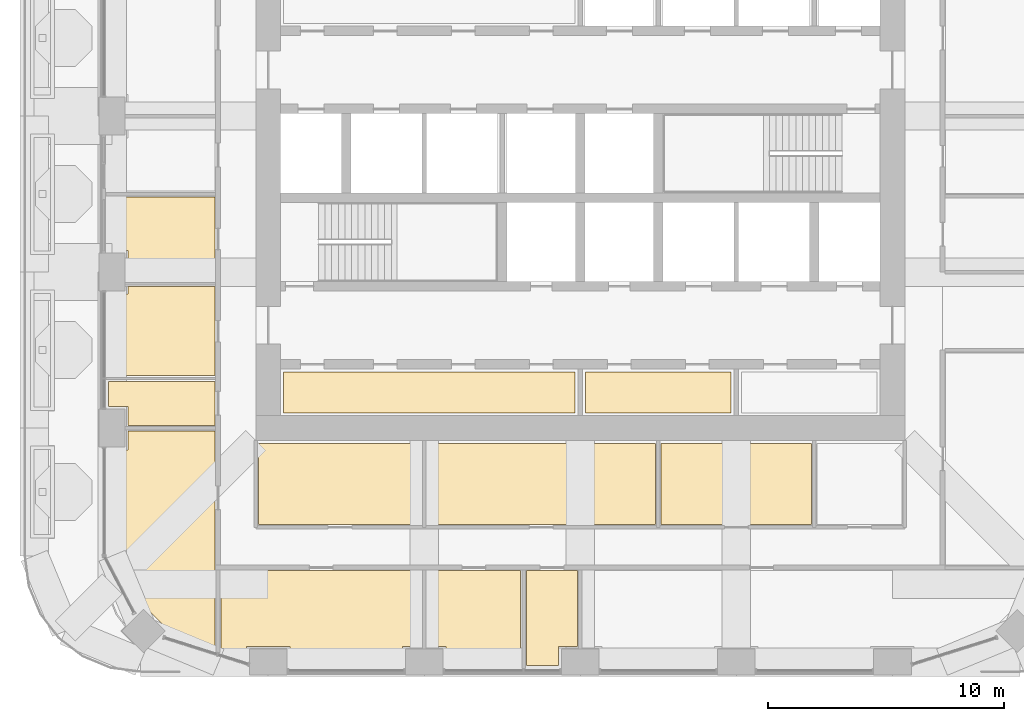
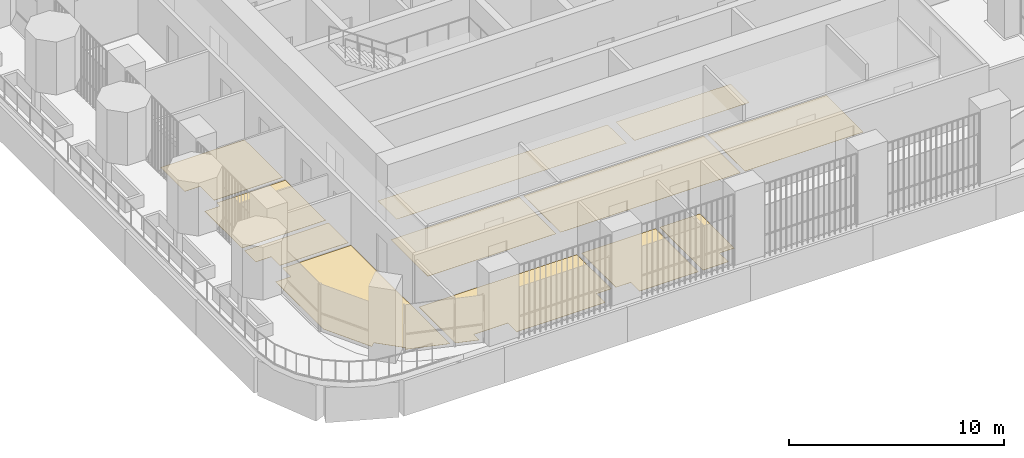
# One storey, part 18 of 24: 12 coverings.
"""IFC4 building model written with IfcOpenShell, lengths in metres."""

import ifcopenshell
import ifcopenshell.guid

model = None  # the IFC model being written
_history = None  # IfcOwnerHistory: only IFC2X3 demands one
_inside = {}  # id of a spatial element -> (the spatial element, [elements in it])
_under = {}  # id of a project, library or spatial element -> (it, [spatial elements below it])
_declared = {}  # id of a project -> (the project, [libraries it declares])
_typed = {}  # id of a type object -> (the type object, [elements of that type])
_made_of = {}  # id of a material, layer set ... -> (it, [elements and type objects made of it])


def new_model(schema):
    """Start an empty IFC model of exactly this schema.

    Asked for "IFC4X3", IfcOpenShell would pick the latest addendum, in which some entities
    have other attributes; the version numbers below select the first issue.
    IFC2X3 requires an IfcOwnerHistory on every rooted entity: one is made here for all.
    """
    global model, _history
    if schema == "IFC4X3":
        model = ifcopenshell.file(schema_version=(4, 3, 0, 0))
    else:
        model = ifcopenshell.file(schema=schema)
    _inside.clear()
    _under.clear()
    _declared.clear()
    _typed.clear()
    _made_of.clear()
    _history = None
    if model.schema == "IFC2X3":
        org = make("IfcOrganization", Name="unknown")
        user = make(
            "IfcPersonAndOrganization",
            ThePerson=make("IfcPerson", FamilyName="unknown"),
            TheOrganization=org,
        )
        app = make(
            "IfcApplication",
            ApplicationDeveloper=org,
            Version="unknown",
            ApplicationFullName="unknown",
            ApplicationIdentifier="unknown",
        )
        _history = make(
            "IfcOwnerHistory",
            OwningUser=user,
            OwningApplication=app,
            ChangeAction="ADDED",
            CreationDate=0,
        )
    return model


def make(cls, **values):
    """One entity of the class cls with the attributes given. An attribute that is None is left unset."""
    return model.create_entity(
        cls, **{name: value for name, value in values.items() if value is not None}
    )


def rooted(cls, **values):
    """An entity with a GlobalId (a new one), such as an element, a storey or a relation."""
    return make(cls, GlobalId=ifcopenshell.guid.new(), OwnerHistory=_history, **values)


def si_unit(unit_type, name, prefix=None):
    """IfcSIUnit, for example si_unit("LENGTHUNIT", "METRE", prefix="MILLI")."""
    return make("IfcSIUnit", UnitType=unit_type, Prefix=prefix, Name=name)


def assignment(units):
    """IfcUnitAssignment: the units of a project."""
    return None if units is None else make("IfcUnitAssignment", Units=units)


def point(xyz):
    """IfcCartesianPoint."""
    return None if xyz is None else make("IfcCartesianPoint", Coordinates=xyz)


def direction(xyz):
    """IfcDirection."""
    return None if xyz is None else make("IfcDirection", DirectionRatios=xyz)


def frame(location, z_axis=None, x_axis=None):
    """IfcAxis2Placement3D, a coordinate frame: its origin and axes. An axis left out is left unset."""
    return make(
        "IfcAxis2Placement3D",
        Location=point(location),
        Axis=direction(z_axis),
        RefDirection=direction(x_axis),
    )


def origin():
    """The frame at (0, 0, 0) with its axes left unset."""
    return frame((0.0, 0.0, 0.0))


def place(relative_to, where):
    """IfcLocalPlacement: puts the frame where relative to a parent placement (None: the world)."""
    return make(
        "IfcLocalPlacement", PlacementRelTo=relative_to, RelativePlacement=where
    )


def context(
    kind, dimensions, precision=None, world=None, true_north=None, identifier=None
):
    """IfcGeometricRepresentationContext, for example the 3D "Model" context."""
    return make(
        "IfcGeometricRepresentationContext",
        ContextIdentifier=identifier,
        ContextType=kind,
        CoordinateSpaceDimension=dimensions,
        Precision=precision,
        WorldCoordinateSystem=world,
        TrueNorth=true_north,
    )


def subcontext(parent, identifier, kind, view, scale=None):
    """IfcGeometricRepresentationSubContext, for example "Body" below "Model"."""
    return make(
        "IfcGeometricRepresentationSubContext",
        ContextIdentifier=identifier,
        ContextType=kind,
        ParentContext=parent,
        TargetScale=scale,
        TargetView=view,
    )


def project(units=None, contexts=None):
    """IfcProject with its units and contexts."""
    return rooted(
        "IfcProject",
        Name="project",
        RepresentationContexts=contexts,
        UnitsInContext=assignment(units),
    )


def spatial(cls, under=None, at=None, **own):
    """A site, building, storey or space (cls), placed at a placement, below another one or the project."""
    s = rooted(cls, ObjectPlacement=at, **own)
    if under is not None:
        _under.setdefault(under.id(), (under, []))[1].append(s)
    return s


def polyline(points):
    """IfcPolyline through the points."""
    return make("IfcPolyline", Points=[point(p) for p in points])


def outline(outer, holes=None, kind="AREA"):
    """IfcArbitraryClosedProfileDef: a profile drawn as a closed curve; with holes, ...WithVoids."""
    if holes is None:
        return make("IfcArbitraryClosedProfileDef", ProfileType=kind, OuterCurve=outer)
    return make(
        "IfcArbitraryProfileDefWithVoids",
        ProfileType=kind,
        OuterCurve=outer,
        InnerCurves=holes,
    )


def extrude(swept, where, along, depth):
    """IfcExtrudedAreaSolid: the profile swept, set in the frame where, extruded along a direction by depth."""
    return make(
        "IfcExtrudedAreaSolid",
        SweptArea=swept,
        Position=where,
        ExtrudedDirection=direction(along),
        Depth=depth,
    )


def shape(context_of_items, identifier, shape_type, items):
    """IfcShapeRepresentation: the items that make up one representation, for example the "Body"."""
    return make(
        "IfcShapeRepresentation",
        ContextOfItems=context_of_items,
        RepresentationIdentifier=identifier,
        RepresentationType=shape_type,
        Items=items,
    )


def material(Name=None, Category=None):
    """IfcMaterial."""
    return make("IfcMaterial", Name=Name, Category=Category)


def layer(
    of_material, thickness, ventilated=None, Name=None, Category=None, Priority=None
):
    """IfcMaterialLayer: one layer of a wall or slab, of a material (None: an air gap)."""
    return make(
        "IfcMaterialLayer",
        Material=of_material,
        LayerThickness=thickness,
        IsVentilated=ventilated,
        Name=Name,
        Category=Category,
        Priority=Priority,
    )


def layer_set(layers, Name=None):
    """IfcMaterialLayerSet."""
    return make("IfcMaterialLayerSet", MaterialLayers=layers, LayerSetName=Name)


def made_of(thing, what):
    """Note that an element or type object is made of a material, layer set ...; save() writes the relation."""
    if what is not None:
        _made_of.setdefault(what.id(), (what, []))[1].append(thing)
    return thing


def type_object(cls, material=None, **own):
    """A type object (cls), such as IfcWallType, which elements share."""
    return made_of(rooted(cls, **own), material)


def element(
    cls,
    number,
    at=None,
    inside=None,
    cuts=None,
    type_object=None,
    material=None,
    context=None,
    identifier="Body",
    shape_type=None,
    held_by="IfcProductDefinitionShape",
    body=None,
    shapes=None,
    **own,
):
    """One element of the class cls, such as IfcWall. Its Tag is "e" and its number.

    at: its placement. inside: the storey or other place that contains it. cuts: it is an
    opening in that element (IfcRelVoidsElement). A single representation is given by context,
    identifier, shape_type and body (its items); several are given by shapes. held_by: the class
    of the entity that holds the representations. save() writes the other relations.
    """
    e = rooted(cls, Tag="e%d" % number, ObjectPlacement=at, **own)
    if body is not None:
        shapes = [shape(context, identifier, shape_type, body)]
    if shapes is not None:
        e.Representation = make(held_by, Representations=shapes)
    if inside is not None:
        _inside.setdefault(inside.id(), (inside, []))[1].append(e)
    if cuts is not None:
        rooted(
            "IfcRelVoidsElement", RelatingBuildingElement=cuts, RelatedOpeningElement=e
        )
    if type_object is not None:
        _typed.setdefault(type_object.id(), (type_object, []))[1].append(e)
    return made_of(e, material)


def aggregate(whole, parts):
    """IfcRelAggregates: a whole, such as a stair, and the parts it consists of."""
    return rooted("IfcRelAggregates", RelatingObject=whole, RelatedObjects=parts)


def save(model, path):
    """Write the relations noted so far, then the file.

    IfcRelAggregates (storeys below a building ...), IfcRelContainedInSpatialStructure (elements
    in a storey), IfcRelDefinesByType, IfcRelAssociatesMaterial and IfcRelDeclares: one each for
    every whole, place, type object, material and project.
    """
    for whole, parts in _under.values():
        aggregate(whole, parts)
    for where, things in _inside.values():
        rooted(
            "IfcRelContainedInSpatialStructure",
            RelatedElements=things,
            RelatingStructure=where,
        )
    for kind, things in _typed.values():
        rooted("IfcRelDefinesByType", RelatedObjects=things, RelatingType=kind)
    for what, things in _made_of.values():
        rooted("IfcRelAssociatesMaterial", RelatedObjects=things, RelatingMaterial=what)
    for by, libraries in _declared.values():
        rooted("IfcRelDeclares", RelatingContext=by, RelatedDefinitions=libraries)
    model.write(path)


model = new_model("IFC4")

# Units and contexts
model_context = context("Model", 3, precision=1e-05, world=origin(), true_north=direction((0.0, 1.0)))
body_context = subcontext(model_context, "Body", "Model", "MODEL_VIEW")
ifc_project = project(units=[si_unit("LENGTHUNIT", "METRE"), si_unit("AREAUNIT", "SQUARE_METRE"), si_unit("VOLUMEUNIT", "CUBIC_METRE"), si_unit("PLANEANGLEUNIT", "RADIAN"), si_unit("MASSUNIT", "GRAM", prefix="KILO")], contexts=[model_context])

# Site, building, storey
site_placement = place(None, origin())
site = spatial("IfcSite", under=ifc_project, at=site_placement, CompositionType="ELEMENT")
building_placement = place(site_placement, origin())
building = spatial("IfcBuilding", under=site, at=building_placement, Name="Cobogo Forest Laboratory Tower", CompositionType="ELEMENT")
storey_placement = place(building_placement, frame((0.0, 0.0, 229.199951171875)))
storey = spatial("IfcBuildingStorey", under=building, at=storey_placement, Name="L52", CompositionType="ELEMENT", Elevation=229.199951171875)

# Coverings
ifc_material_1 = material(Name="Carpet tile on raised access floor", Category="flooring")
ifc_layer_1 = layer(ifc_material_1, 0.008056640625)
ifc_layer_set_1 = layer_set([ifc_layer_1], Name="CT1 carpet tile floor 8")
covering_type_1 = type_object("IfcCoveringType", Name="CT1 carpet tile floor 8", PredefinedType="FLOORING", material=ifc_layer_set_1)
covering_1_placement = place(storey_placement, origin())
element("IfcCovering", 1, at=covering_1_placement, inside=storey, type_object=covering_type_1, Name="Carpet floor L52-05", PredefinedType="FLOORING", context=body_context, shape_type="SweptSolid", body=[
    extrude(outline(polyline([(19.679931640625, 9.1201171875), (12.794921875, 9.1201171875), (12.794921875, 12.554931640625), (19.679931640625, 12.554931640625), (19.679931640625, 9.1201171875)])), origin(), (0.0, 0.0, 1.0), 0.008056640625),
])
covering_2_placement = place(storey_placement, origin())
element("IfcCovering", 2, at=covering_2_placement, inside=storey, type_object=covering_type_1, Name="Carpet floor L52-06", PredefinedType="FLOORING", context=body_context, shape_type="SweptSolid", body=[
    extrude(outline(polyline([(29.580078125, 9.1201171875), (19.919921875, 9.1201171875), (19.919921875, 12.554931640625), (29.580078125, 12.554931640625), (29.580078125, 9.1201171875)])), origin(), (0.0, 0.0, 1.0), 0.008056640625),
])
covering_3_placement = place(storey_placement, origin())
element("IfcCovering", 3, at=covering_3_placement, inside=storey, type_object=covering_type_1, Name="Carpet floor L52-07", PredefinedType="FLOORING", context=body_context, shape_type="SweptSolid", body=[
    extrude(outline(polyline([(36.179931640625, 9.1201171875), (29.820068359375, 9.1201171875), (29.820068359375, 12.554931640625), (36.179931640625, 12.554931640625), (36.179931640625, 9.1201171875)])), origin(), (0.0, 0.0, 1.0), 0.008056640625),
])
covering_4_placement = place(storey_placement, origin())
element("IfcCovering", 4, at=covering_4_placement, inside=storey, type_object=covering_type_1, Name="Carpet floor L52-09", PredefinedType="FLOORING", context=body_context, shape_type="SweptSolid", body=[
    extrude(outline(polyline([(19.679931640625, 7.179931640625), (19.679931640625, 3.969970703125), (18.8798828125, 3.969970703125), (18.8798828125, 3.14990234375), (14.1201171875, 3.14990234375), (14.1201171875, 3.969970703125), (12.280029296875, 3.969970703125), (12.280029296875, 3.4501953125), (11.195068359375, 3.79296875), (11.195068359375, 7.179931640625), (19.679931640625, 7.179931640625)])), origin(), (0.0, 0.0, 1.0), 0.008056640625),
])
covering_5_placement = place(storey_placement, origin())
element("IfcCovering", 5, at=covering_5_placement, inside=storey, type_object=covering_type_1, Name="Carpet floor L52-10", PredefinedType="FLOORING", context=body_context, shape_type="SweptSolid", body=[
    extrude(outline(polyline([(23.8798828125, 7.179931640625), (23.8798828125, 3.14990234375), (20.719970703125, 3.14990234375), (20.719970703125, 3.969970703125), (19.919921875, 3.969970703125), (19.919921875, 7.179931640625), (23.8798828125, 7.179931640625)])), origin(), (0.0, 0.0, 1.0), 0.008056640625),
])
covering_6_placement = place(storey_placement, origin())
element("IfcCovering", 6, at=covering_6_placement, inside=storey, type_object=covering_type_1, Name="Carpet floor L52-21", PredefinedType="FLOORING", context=body_context, shape_type="SweptSolid", body=[
    extrude(outline(polyline([(10.955078125, 3.86865234375), (8.905029296875, 4.51611328125), (9.007080078125, 4.617919921875), (7.91796875, 5.70703125), (7.691650390625, 5.480712890625), (6.449951171875, 7.84912109375), (6.449951171875, 12.280029296875), (7.27001953125, 12.280029296875), (7.27001953125, 13.080078125), (10.955078125, 13.080078125), (10.955078125, 3.86865234375)])), origin(), (0.0, 0.0, 1.0), 0.008056640625),
])
covering_7_placement = place(storey_placement, origin())
element("IfcCovering", 7, at=covering_7_placement, inside=storey, type_object=covering_type_1, Name="Carpet floor L52-35", PredefinedType="FLOORING", context=body_context, shape_type="SweptSolid", body=[
    extrude(outline(polyline([(26.179931640625, 13.844970703125), (13.844970703125, 13.844970703125), (13.844970703125, 15.580078125), (26.179931640625, 15.580078125), (26.179931640625, 13.844970703125)])), origin(), (0.0, 0.0, 1.0), 0.008056640625),
])
covering_8_placement = place(storey_placement, origin())
element("IfcCovering", 8, at=covering_8_placement, inside=storey, type_object=covering_type_1, Name="Carpet floor L52-36", PredefinedType="FLOORING", context=body_context, shape_type="SweptSolid", body=[
    extrude(outline(polyline([(32.780029296875, 13.844970703125), (26.6201171875, 13.844970703125), (26.6201171875, 15.580078125), (32.780029296875, 15.580078125), (32.780029296875, 13.844970703125)])), origin(), (0.0, 0.0, 1.0), 0.008056640625),
])
ifc_material_2 = material(Name="Ceramic floor tile", Category="flooring")
ifc_layer_2 = layer(ifc_material_2, 0.010009765625)
ifc_layer_set_2 = layer_set([ifc_layer_2], Name="TF1 ceramic tile floor 10")
covering_type_2 = type_object("IfcCoveringType", Name="TF1 ceramic tile floor 10", PredefinedType="FLOORING", material=ifc_layer_set_2)
covering_9_placement = place(storey_placement, origin())
element("IfcCovering", 9, at=covering_9_placement, inside=storey, type_object=covering_type_2, Name="Tile floor L52-11", PredefinedType="FLOORING", context=body_context, shape_type="SweptSolid", body=[
    extrude(outline(polyline([(26.280029296875, 7.179931640625), (26.280029296875, 3.969970703125), (25.47998046875, 3.969970703125), (25.47998046875, 3.14990234375), (24.1201171875, 3.14990234375), (24.1201171875, 7.179931640625), (26.280029296875, 7.179931640625)])), origin(), (0.0, 0.0, 1.0), 0.010009765625),
])
covering_10_placement = place(storey_placement, origin())
element("IfcCovering", 10, at=covering_10_placement, inside=storey, type_object=covering_type_2, Name="Tile floor L52-22", PredefinedType="FLOORING", context=body_context, shape_type="SweptSolid", body=[
    extrude(outline(polyline([(10.955078125, 13.320068359375), (7.27001953125, 13.320068359375), (7.27001953125, 14.1201171875), (6.449951171875, 14.1201171875), (6.449951171875, 15.179931640625), (10.955078125, 15.179931640625), (10.955078125, 13.320068359375)])), origin(), (0.0, 0.0, 1.0), 0.010009765625),
])
covering_11_placement = place(storey_placement, origin())
element("IfcCovering", 11, at=covering_11_placement, inside=storey, type_object=covering_type_2, Name="Tile floor L52-23", PredefinedType="FLOORING", context=body_context, shape_type="SweptSolid", body=[
    extrude(outline(polyline([(10.955078125, 15.419921875), (6.449951171875, 15.419921875), (6.449951171875, 18.8798828125), (7.27001953125, 18.8798828125), (7.27001953125, 19.179931640625), (10.955078125, 19.179931640625), (10.955078125, 15.419921875)])), origin(), (0.0, 0.0, 1.0), 0.010009765625),
])
covering_12_placement = place(storey_placement, origin())
element("IfcCovering", 12, at=covering_12_placement, inside=storey, type_object=covering_type_2, Name="Tile floor L52-24", PredefinedType="FLOORING", context=body_context, shape_type="SweptSolid", body=[
    extrude(outline(polyline([(10.955078125, 19.419921875), (7.27001953125, 19.419921875), (7.27001953125, 20.719970703125), (6.449951171875, 20.719970703125), (6.449951171875, 22.97998046875), (10.955078125, 22.97998046875), (10.955078125, 19.419921875)])), origin(), (0.0, 0.0, 1.0), 0.010009765625),
])

save(model, "model.ifc")
